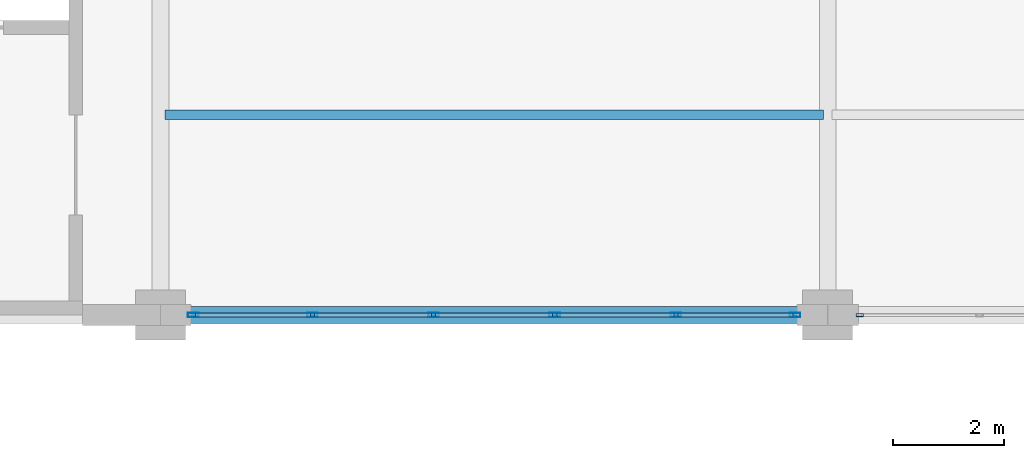
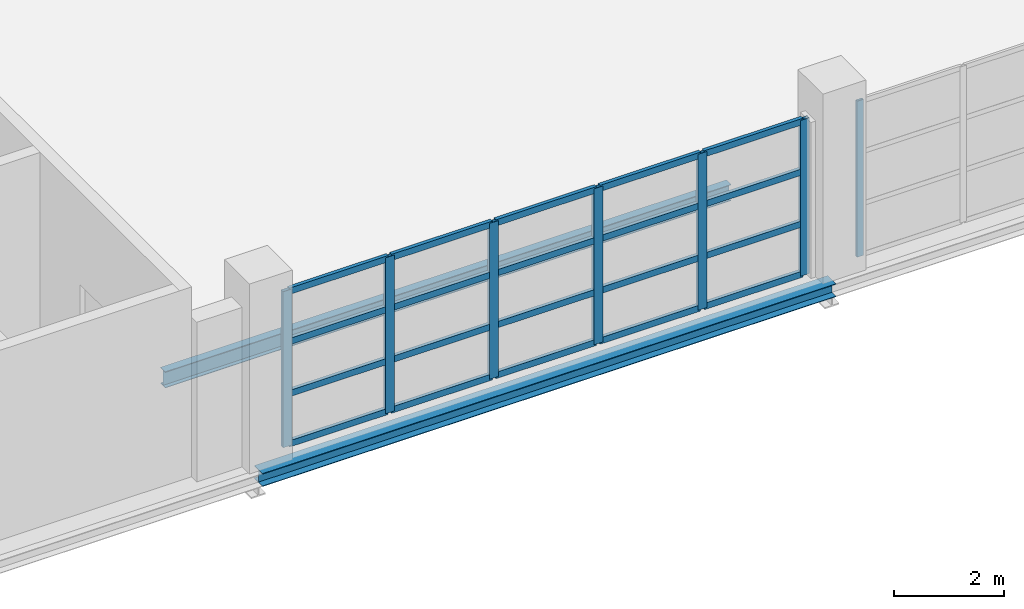
# One storey, part 103 of 158: 27 members, 2 beams, 2 elements without a shape of their own.
"""IFC4 building model written with IfcOpenShell, lengths in metres."""

from ifc_helpers import new_model, si_unit, direction, frame, origin, origin_2d, place, context, subcontext, project, spatial, hollow_rectangle, i_section, extrude, material, layer, layer_set, material_profile, profile_set, type_object, element, aggregate, save


model = new_model("IFC4")

# Units and contexts
model_context = context("Model", 3, precision=1e-05, world=origin(), true_north=direction((0.0, 1.0)))
body_context = subcontext(model_context, "Body", "Model", "MODEL_VIEW")
ifc_project = project(units=[si_unit("LENGTHUNIT", "METRE"), si_unit("AREAUNIT", "SQUARE_METRE"), si_unit("VOLUMEUNIT", "CUBIC_METRE"), si_unit("PLANEANGLEUNIT", "RADIAN"), si_unit("MASSUNIT", "GRAM", prefix="KILO")], contexts=[model_context])

# Site, building, storey
site_placement = place(None, origin())
site = spatial("IfcSite", under=ifc_project, at=site_placement, CompositionType="ELEMENT")
building_placement = place(site_placement, origin())
building = spatial("IfcBuilding", under=site, at=building_placement, Name="Zilviju Railside Exhibition Hall", CompositionType="ELEMENT")
storey_placement = place(building_placement, frame((0.0, 0.0, 4.199951171875)))
storey = spatial("IfcBuildingStorey", under=building, at=storey_placement, Name="L02", CompositionType="ELEMENT", Elevation=4.199951171875)

# Beams
ifc_material_1 = material(Name="Steel S355J2", Category="steel")
ifc_material_profile_1 = material_profile(ifc_material_1, i_section(OverallWidth=0.300048828125, OverallDepth=0.2900390625, WebThickness=0.008544921875, FlangeThickness=0.013916015625, at=origin_2d()), Name="HEA 300")
ifc_profile_set_1 = profile_set([ifc_material_profile_1], Name="Steel S355J2")
beam_type_1 = type_object("IfcBeamType", Name="BM-HEA300", PredefinedType="SPANDREL", material=ifc_profile_set_1)
beam_1_placement = place(storey_placement, frame((192.0, 84.0, -0.474853515625), z_axis=(1.0, 0.0, 0.0), x_axis=(0.0, 1.0, 0.0)))
element("IfcBeam", 1, at=beam_1_placement, inside=storey, type_object=beam_type_1, Name="Primary Girder L02 Y=84.0 (192.0..204.0)", PredefinedType="SPANDREL", context=body_context, shape_type="SweptSolid", body=[
    extrude(i_section(OverallWidth=0.300048828125, OverallDepth=0.2900390625, WebThickness=0.008544921875, FlangeThickness=0.013916015625, at=origin_2d()), origin(), (0.0, 0.0, 1.0), 12.0),
])
ifc_material_profile_2 = material_profile(ifc_material_1, i_section(OverallWidth=0.169921875, OverallDepth=0.360107421875, WebThickness=0.008056640625, FlangeThickness=0.0126953125, at=origin_2d()), Name="IPE 360")
ifc_profile_set_2 = profile_set([ifc_material_profile_2], Name="Steel S355J2")
beam_type_2 = type_object("IfcBeamType", Name="BM-IPE360", PredefinedType="JOIST", material=ifc_profile_set_2)
beam_2_placement = place(storey_placement, frame((192.080078125, 87.60009765625, -0.510009765625), z_axis=(1.0, 0.0, 0.0), x_axis=(0.0, 1.0, 0.0)))
element("IfcBeam", 2, at=beam_2_placement, inside=storey, type_object=beam_type_2, Name="Composite Floor Joist L02 Y=87.60 (192.0..204.0)", PredefinedType="JOIST", context=body_context, shape_type="SweptSolid", body=[
    extrude(i_section(OverallWidth=0.169921875, OverallDepth=0.360107421875, WebThickness=0.008056640625, FlangeThickness=0.0126953125, at=origin_2d()), origin(), (0.0, 0.0, 1.0), 11.83984375),
])

# Curtain wall, member
ifc_material_2 = material(Name="Thermally broken aluminium-steel triple-glazed curtain wall", Category="steel")
ifc_layer_1 = layer(ifc_material_2, 0.179931640625)
ifc_layer_set_1 = layer_set([ifc_layer_1], Name="Thermally broken aluminium-steel triple-glazed curtain wall")
curtain_wall_type_1 = type_object("IfcCurtainWallType", Name="CW-BAY-12", PredefinedType="USERDEFINED", material=ifc_layer_set_1)
curtain_wall_1_placement = place(storey_placement, origin())
curtain_wall_1 = element("IfcCurtainWall", 3, at=curtain_wall_1_placement, inside=storey, type_object=curtain_wall_type_1, Name="North Hall Garden Court Curtain Wall L02 (204..216)", ObjectType="GLAZED CURTAIN WALL", PredefinedType="USERDEFINED")
ifc_material_3 = material(Name="Thermally broken anodized aluminium mullion", Category="aluminium")
ifc_material_profile_3 = material_profile(ifc_material_3, hollow_rectangle(XDim=0.054931640625, YDim=0.1298828125, WallThickness=0.0048828125, at=origin_2d()), Name="MULLION 130x55x5")
ifc_profile_set_3 = profile_set([ifc_material_profile_3], Name="Thermally broken anodized aluminium mullion")
member_type_1 = type_object("IfcMemberType", Name="CWM-55x130", PredefinedType="MULLION", material=ifc_profile_set_3)
member_1_placement = place(storey_placement, frame((204.577392578125, 84.0, 0.0), z_axis=(0.0, 0.0, 1.0), x_axis=(0.0, -1.0, 0.0)))
member_1 = element("IfcMember", 4, at=member_1_placement, type_object=member_type_1, Name="CW-12 mullion 6", PredefinedType="MULLION", context=body_context, shape_type="SweptSolid", body=[
    extrude(hollow_rectangle(XDim=0.054931640625, YDim=0.1298828125, WallThickness=0.0048828125, at=origin_2d()), origin(), (0.0, 0.0, 1.0), 3.449951171875),
])
aggregate(curtain_wall_1, [member_1])

# Curtain wall, members
ifc_layer_2 = layer(ifc_material_2, 0.179931640625)
ifc_layer_set_2 = layer_set([ifc_layer_2], Name="Thermally broken aluminium-steel triple-glazed curtain wall")
curtain_wall_type_2 = type_object("IfcCurtainWallType", Name="CW-BAY-11", PredefinedType="USERDEFINED", material=ifc_layer_set_2)
curtain_wall_2_placement = place(storey_placement, origin())
curtain_wall_2 = element("IfcCurtainWall", 5, at=curtain_wall_2_placement, inside=storey, type_object=curtain_wall_type_2, Name="North Hall Garden Court Curtain Wall L02 (192..204)", ObjectType="GLAZED CURTAIN WALL", PredefinedType="USERDEFINED")
ifc_material_profile_4 = material_profile(ifc_material_3, hollow_rectangle(XDim=0.074951171875, YDim=0.18994140625, WallThickness=0.0048828125, at=origin_2d()), Name="MULLION 190x75x5")
ifc_profile_set_4 = profile_set([ifc_material_profile_4], Name="Thermally broken anodized aluminium mullion")
member_type_2 = type_object("IfcMemberType", Name="CWM-75x190", PredefinedType="MULLION", material=ifc_profile_set_4)
member_2_placement = place(storey_placement, frame((203.41259765625, 84.0, 0.0), z_axis=(0.0, 0.0, 1.0), x_axis=(0.0, -1.0, 0.0)))
member_2 = element("IfcMember", 6, at=member_2_placement, type_object=member_type_2, Name="CW-11 mullion 1", PredefinedType="MULLION", context=body_context, shape_type="SweptSolid", body=[
    extrude(hollow_rectangle(XDim=0.074951171875, YDim=0.18994140625, WallThickness=0.0048828125, at=origin_2d()), origin(), (0.0, 0.0, 1.0), 3.449951171875),
])
member_3_placement = place(storey_placement, frame((201.27001953125, 84.0, 0.0), z_axis=(0.0, 0.0, 1.0), x_axis=(0.0, -1.0, 0.0)))
member_3 = element("IfcMember", 7, at=member_3_placement, type_object=member_type_2, Name="CW-11 mullion 2", PredefinedType="MULLION", context=body_context, shape_type="SweptSolid", body=[
    extrude(hollow_rectangle(XDim=0.074951171875, YDim=0.18994140625, WallThickness=0.0048828125, at=origin_2d()), origin(), (0.0, 0.0, 1.0), 3.449951171875),
])
member_4_placement = place(storey_placement, frame((199.090087890625, 84.0, 0.0), z_axis=(0.0, 0.0, 1.0), x_axis=(0.0, -1.0, 0.0)))
member_4 = element("IfcMember", 8, at=member_4_placement, type_object=member_type_2, Name="CW-11 mullion 3", PredefinedType="MULLION", context=body_context, shape_type="SweptSolid", body=[
    extrude(hollow_rectangle(XDim=0.074951171875, YDim=0.18994140625, WallThickness=0.0048828125, at=origin_2d()), origin(), (0.0, 0.0, 1.0), 3.449951171875),
])
member_5_placement = place(storey_placement, frame((196.909912109375, 84.0, 0.0), z_axis=(0.0, 0.0, 1.0), x_axis=(0.0, -1.0, 0.0)))
member_5 = element("IfcMember", 9, at=member_5_placement, type_object=member_type_2, Name="CW-11 mullion 4", PredefinedType="MULLION", context=body_context, shape_type="SweptSolid", body=[
    extrude(hollow_rectangle(XDim=0.074951171875, YDim=0.18994140625, WallThickness=0.0048828125, at=origin_2d()), origin(), (0.0, 0.0, 1.0), 3.449951171875),
])
member_6_placement = place(storey_placement, frame((194.72998046875, 84.0, 0.0), z_axis=(0.0, 0.0, 1.0), x_axis=(0.0, -1.0, 0.0)))
member_6 = element("IfcMember", 10, at=member_6_placement, type_object=member_type_2, Name="CW-11 mullion 5", PredefinedType="MULLION", context=body_context, shape_type="SweptSolid", body=[
    extrude(hollow_rectangle(XDim=0.074951171875, YDim=0.18994140625, WallThickness=0.0048828125, at=origin_2d()), origin(), (0.0, 0.0, 1.0), 3.449951171875),
])
member_7_placement = place(storey_placement, frame((192.58740234375, 84.0, 0.0), z_axis=(0.0, 0.0, 1.0), x_axis=(0.0, -1.0, 0.0)))
member_7 = element("IfcMember", 11, at=member_7_placement, type_object=member_type_2, Name="CW-11 mullion 6", PredefinedType="MULLION", context=body_context, shape_type="SweptSolid", body=[
    extrude(hollow_rectangle(XDim=0.074951171875, YDim=0.18994140625, WallThickness=0.0048828125, at=origin_2d()), origin(), (0.0, 0.0, 1.0), 3.449951171875),
])
ifc_material_4 = material(Name="Thermally broken anodized aluminium transom", Category="aluminium")
ifc_material_profile_5 = material_profile(ifc_material_4, hollow_rectangle(XDim=0.074951171875, YDim=0.139892578125, WallThickness=0.0048828125, at=origin_2d()), Name="TRANSOM 140x75x5")
ifc_profile_set_5 = profile_set([ifc_material_profile_5], Name="Thermally broken anodized aluminium transom")
member_type_3 = type_object("IfcMemberType", Name="CWT-75x140", PredefinedType="USERDEFINED", material=ifc_profile_set_5)
member_8_placement = place(storey_placement, frame((203.375, 84.0, 0.03759765625), z_axis=(-1.0, 0.0, 0.0), x_axis=(0.0, -1.0, 0.0)))
member_8 = element("IfcMember", 12, at=member_8_placement, type_object=member_type_3, Name="CW-11 transom 1.1", ObjectType="TRANSOM", PredefinedType="USERDEFINED", context=body_context, shape_type="SweptSolid", body=[
    extrude(hollow_rectangle(XDim=0.074951171875, YDim=0.139892578125, WallThickness=0.0048828125, at=origin_2d()), origin(), (0.0, 0.0, 1.0), 2.0673828125),
])
member_9_placement = place(storey_placement, frame((203.375, 84.0, 1.150146484375), z_axis=(-1.0, 0.0, 0.0), x_axis=(0.0, -1.0, 0.0)))
member_9 = element("IfcMember", 13, at=member_9_placement, type_object=member_type_3, Name="CW-11 transom 1.2", ObjectType="TRANSOM", PredefinedType="USERDEFINED", context=body_context, shape_type="SweptSolid", body=[
    extrude(hollow_rectangle(XDim=0.074951171875, YDim=0.139892578125, WallThickness=0.0048828125, at=origin_2d()), origin(), (0.0, 0.0, 1.0), 2.0673828125),
])
member_10_placement = place(storey_placement, frame((203.375, 84.0, 2.300048828125), z_axis=(-1.0, 0.0, 0.0), x_axis=(0.0, -1.0, 0.0)))
member_10 = element("IfcMember", 14, at=member_10_placement, type_object=member_type_3, Name="CW-11 transom 1.3", ObjectType="TRANSOM", PredefinedType="USERDEFINED", context=body_context, shape_type="SweptSolid", body=[
    extrude(hollow_rectangle(XDim=0.074951171875, YDim=0.139892578125, WallThickness=0.0048828125, at=origin_2d()), origin(), (0.0, 0.0, 1.0), 2.0673828125),
])
member_11_placement = place(storey_placement, frame((203.375, 84.0, 3.41259765625), z_axis=(-1.0, 0.0, 0.0), x_axis=(0.0, -1.0, 0.0)))
member_11 = element("IfcMember", 15, at=member_11_placement, type_object=member_type_3, Name="CW-11 transom 1.4", ObjectType="TRANSOM", PredefinedType="USERDEFINED", context=body_context, shape_type="SweptSolid", body=[
    extrude(hollow_rectangle(XDim=0.074951171875, YDim=0.139892578125, WallThickness=0.0048828125, at=origin_2d()), origin(), (0.0, 0.0, 1.0), 2.0673828125),
])
member_12_placement = place(storey_placement, frame((201.232421875, 84.0, 0.03759765625), z_axis=(-1.0, 0.0, 0.0), x_axis=(0.0, -1.0, 0.0)))
member_12 = element("IfcMember", 16, at=member_12_placement, type_object=member_type_3, Name="CW-11 transom 2.1", ObjectType="TRANSOM", PredefinedType="USERDEFINED", context=body_context, shape_type="SweptSolid", body=[
    extrude(hollow_rectangle(XDim=0.074951171875, YDim=0.139892578125, WallThickness=0.0048828125, at=origin_2d()), origin(), (0.0, 0.0, 1.0), 2.10498046875),
])
member_13_placement = place(storey_placement, frame((201.232421875, 84.0, 1.150146484375), z_axis=(-1.0, 0.0, 0.0), x_axis=(0.0, -1.0, 0.0)))
member_13 = element("IfcMember", 17, at=member_13_placement, type_object=member_type_3, Name="CW-11 transom 2.2", ObjectType="TRANSOM", PredefinedType="USERDEFINED", context=body_context, shape_type="SweptSolid", body=[
    extrude(hollow_rectangle(XDim=0.074951171875, YDim=0.139892578125, WallThickness=0.0048828125, at=origin_2d()), origin(), (0.0, 0.0, 1.0), 2.10498046875),
])
member_14_placement = place(storey_placement, frame((201.232421875, 84.0, 2.300048828125), z_axis=(-1.0, 0.0, 0.0), x_axis=(0.0, -1.0, 0.0)))
member_14 = element("IfcMember", 18, at=member_14_placement, type_object=member_type_3, Name="CW-11 transom 2.3", ObjectType="TRANSOM", PredefinedType="USERDEFINED", context=body_context, shape_type="SweptSolid", body=[
    extrude(hollow_rectangle(XDim=0.074951171875, YDim=0.139892578125, WallThickness=0.0048828125, at=origin_2d()), origin(), (0.0, 0.0, 1.0), 2.10498046875),
])
member_15_placement = place(storey_placement, frame((201.232421875, 84.0, 3.41259765625), z_axis=(-1.0, 0.0, 0.0), x_axis=(0.0, -1.0, 0.0)))
member_15 = element("IfcMember", 19, at=member_15_placement, type_object=member_type_3, Name="CW-11 transom 2.4", ObjectType="TRANSOM", PredefinedType="USERDEFINED", context=body_context, shape_type="SweptSolid", body=[
    extrude(hollow_rectangle(XDim=0.074951171875, YDim=0.139892578125, WallThickness=0.0048828125, at=origin_2d()), origin(), (0.0, 0.0, 1.0), 2.10498046875),
])
member_16_placement = place(storey_placement, frame((199.052490234375, 84.0, 0.03759765625), z_axis=(-1.0, 0.0, 0.0), x_axis=(0.0, -1.0, 0.0)))
member_16 = element("IfcMember", 20, at=member_16_placement, type_object=member_type_3, Name="CW-11 transom 3.1", ObjectType="TRANSOM", PredefinedType="USERDEFINED", context=body_context, shape_type="SweptSolid", body=[
    extrude(hollow_rectangle(XDim=0.074951171875, YDim=0.139892578125, WallThickness=0.0048828125, at=origin_2d()), origin(), (0.0, 0.0, 1.0), 2.10498046875),
])
member_17_placement = place(storey_placement, frame((199.052490234375, 84.0, 1.150146484375), z_axis=(-1.0, 0.0, 0.0), x_axis=(0.0, -1.0, 0.0)))
member_17 = element("IfcMember", 21, at=member_17_placement, type_object=member_type_3, Name="CW-11 transom 3.2", ObjectType="TRANSOM", PredefinedType="USERDEFINED", context=body_context, shape_type="SweptSolid", body=[
    extrude(hollow_rectangle(XDim=0.074951171875, YDim=0.139892578125, WallThickness=0.0048828125, at=origin_2d()), origin(), (0.0, 0.0, 1.0), 2.10498046875),
])
member_18_placement = place(storey_placement, frame((199.052490234375, 84.0, 2.300048828125), z_axis=(-1.0, 0.0, 0.0), x_axis=(0.0, -1.0, 0.0)))
member_18 = element("IfcMember", 22, at=member_18_placement, type_object=member_type_3, Name="CW-11 transom 3.3", ObjectType="TRANSOM", PredefinedType="USERDEFINED", context=body_context, shape_type="SweptSolid", body=[
    extrude(hollow_rectangle(XDim=0.074951171875, YDim=0.139892578125, WallThickness=0.0048828125, at=origin_2d()), origin(), (0.0, 0.0, 1.0), 2.10498046875),
])
member_19_placement = place(storey_placement, frame((199.052490234375, 84.0, 3.41259765625), z_axis=(-1.0, 0.0, 0.0), x_axis=(0.0, -1.0, 0.0)))
member_19 = element("IfcMember", 23, at=member_19_placement, type_object=member_type_3, Name="CW-11 transom 3.4", ObjectType="TRANSOM", PredefinedType="USERDEFINED", context=body_context, shape_type="SweptSolid", body=[
    extrude(hollow_rectangle(XDim=0.074951171875, YDim=0.139892578125, WallThickness=0.0048828125, at=origin_2d()), origin(), (0.0, 0.0, 1.0), 2.10498046875),
])
member_20_placement = place(storey_placement, frame((196.87255859375, 84.0, 0.03759765625), z_axis=(-1.0, 0.0, 0.0), x_axis=(0.0, -1.0, 0.0)))
member_20 = element("IfcMember", 24, at=member_20_placement, type_object=member_type_3, Name="CW-11 transom 4.1", ObjectType="TRANSOM", PredefinedType="USERDEFINED", context=body_context, shape_type="SweptSolid", body=[
    extrude(hollow_rectangle(XDim=0.074951171875, YDim=0.139892578125, WallThickness=0.0048828125, at=origin_2d()), origin(), (0.0, 0.0, 1.0), 2.10498046875),
])
member_21_placement = place(storey_placement, frame((196.87255859375, 84.0, 1.150146484375), z_axis=(-1.0, 0.0, 0.0), x_axis=(0.0, -1.0, 0.0)))
member_21 = element("IfcMember", 25, at=member_21_placement, type_object=member_type_3, Name="CW-11 transom 4.2", ObjectType="TRANSOM", PredefinedType="USERDEFINED", context=body_context, shape_type="SweptSolid", body=[
    extrude(hollow_rectangle(XDim=0.074951171875, YDim=0.139892578125, WallThickness=0.0048828125, at=origin_2d()), origin(), (0.0, 0.0, 1.0), 2.10498046875),
])
member_22_placement = place(storey_placement, frame((196.87255859375, 84.0, 2.300048828125), z_axis=(-1.0, 0.0, 0.0), x_axis=(0.0, -1.0, 0.0)))
member_22 = element("IfcMember", 26, at=member_22_placement, type_object=member_type_3, Name="CW-11 transom 4.3", ObjectType="TRANSOM", PredefinedType="USERDEFINED", context=body_context, shape_type="SweptSolid", body=[
    extrude(hollow_rectangle(XDim=0.074951171875, YDim=0.139892578125, WallThickness=0.0048828125, at=origin_2d()), origin(), (0.0, 0.0, 1.0), 2.10498046875),
])
member_23_placement = place(storey_placement, frame((196.87255859375, 84.0, 3.41259765625), z_axis=(-1.0, 0.0, 0.0), x_axis=(0.0, -1.0, 0.0)))
member_23 = element("IfcMember", 27, at=member_23_placement, type_object=member_type_3, Name="CW-11 transom 4.4", ObjectType="TRANSOM", PredefinedType="USERDEFINED", context=body_context, shape_type="SweptSolid", body=[
    extrude(hollow_rectangle(XDim=0.074951171875, YDim=0.139892578125, WallThickness=0.0048828125, at=origin_2d()), origin(), (0.0, 0.0, 1.0), 2.10498046875),
])
member_24_placement = place(storey_placement, frame((194.6923828125, 84.0, 0.03759765625), z_axis=(-1.0, 0.0, 0.0), x_axis=(0.0, -1.0, 0.0)))
member_24 = element("IfcMember", 28, at=member_24_placement, type_object=member_type_3, Name="CW-11 transom 5.1", ObjectType="TRANSOM", PredefinedType="USERDEFINED", context=body_context, shape_type="SweptSolid", body=[
    extrude(hollow_rectangle(XDim=0.074951171875, YDim=0.139892578125, WallThickness=0.0048828125, at=origin_2d()), origin(), (0.0, 0.0, 1.0), 2.0673828125),
])
member_25_placement = place(storey_placement, frame((194.6923828125, 84.0, 1.150146484375), z_axis=(-1.0, 0.0, 0.0), x_axis=(0.0, -1.0, 0.0)))
member_25 = element("IfcMember", 29, at=member_25_placement, type_object=member_type_3, Name="CW-11 transom 5.2", ObjectType="TRANSOM", PredefinedType="USERDEFINED", context=body_context, shape_type="SweptSolid", body=[
    extrude(hollow_rectangle(XDim=0.074951171875, YDim=0.139892578125, WallThickness=0.0048828125, at=origin_2d()), origin(), (0.0, 0.0, 1.0), 2.0673828125),
])
member_26_placement = place(storey_placement, frame((194.6923828125, 84.0, 2.300048828125), z_axis=(-1.0, 0.0, 0.0), x_axis=(0.0, -1.0, 0.0)))
member_26 = element("IfcMember", 30, at=member_26_placement, type_object=member_type_3, Name="CW-11 transom 5.3", ObjectType="TRANSOM", PredefinedType="USERDEFINED", context=body_context, shape_type="SweptSolid", body=[
    extrude(hollow_rectangle(XDim=0.074951171875, YDim=0.139892578125, WallThickness=0.0048828125, at=origin_2d()), origin(), (0.0, 0.0, 1.0), 2.0673828125),
])
member_27_placement = place(storey_placement, frame((194.6923828125, 84.0, 3.41259765625), z_axis=(-1.0, 0.0, 0.0), x_axis=(0.0, -1.0, 0.0)))
member_27 = element("IfcMember", 31, at=member_27_placement, type_object=member_type_3, Name="CW-11 transom 5.4", ObjectType="TRANSOM", PredefinedType="USERDEFINED", context=body_context, shape_type="SweptSolid", body=[
    extrude(hollow_rectangle(XDim=0.074951171875, YDim=0.139892578125, WallThickness=0.0048828125, at=origin_2d()), origin(), (0.0, 0.0, 1.0), 2.0673828125),
])
aggregate(curtain_wall_2, [member_2, member_3, member_4, member_5, member_6, member_7, member_8, member_9, member_10, member_11, member_12, member_13, member_14, member_15, member_16, member_17, member_18, member_19, member_20, member_21, member_22, member_23, member_24, member_25, member_26, member_27])

save(model, "model.ifc")
